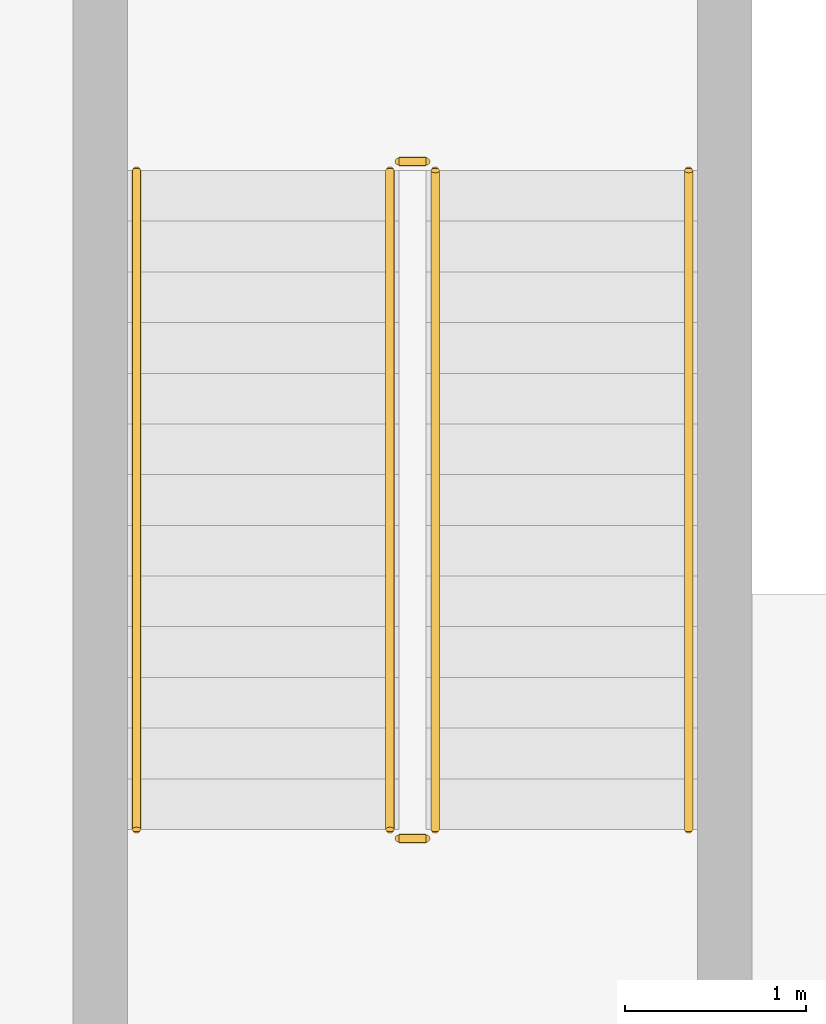
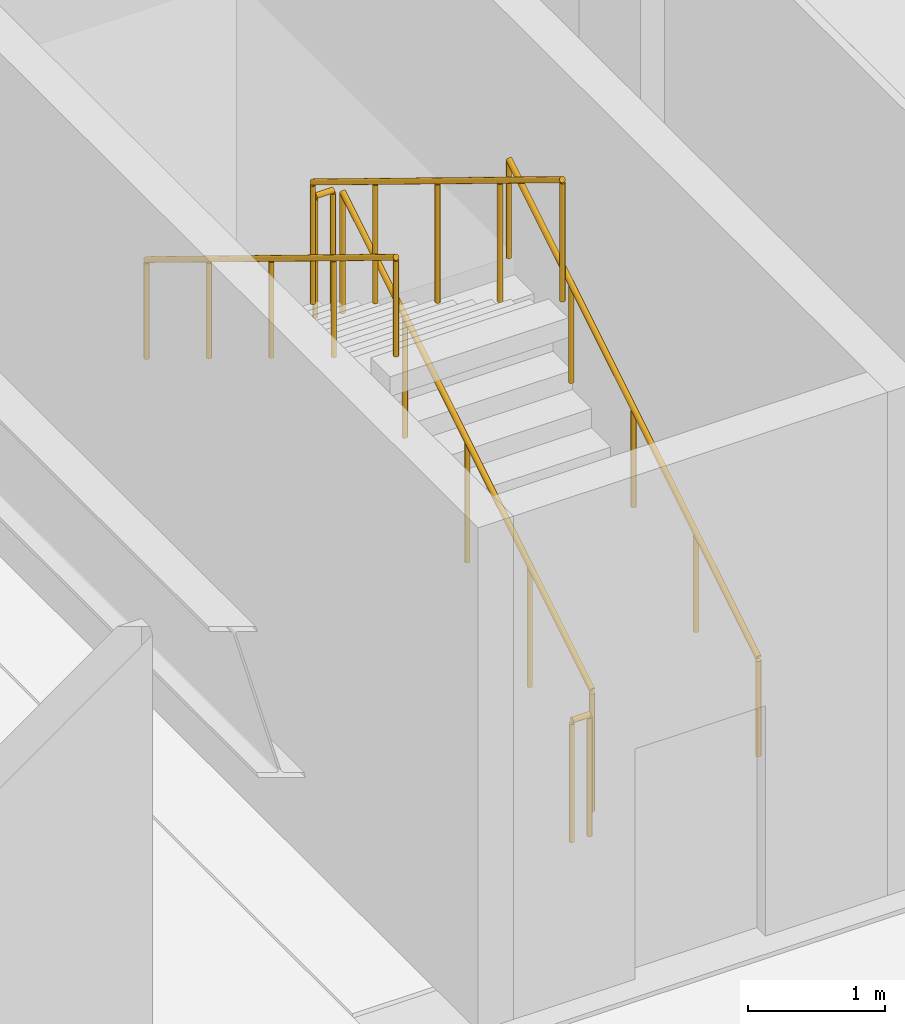
# One storey, part 7 of 8: 6 railings.
"""IFC4 building model written with IfcOpenShell, lengths in metres."""

from ifc_helpers import new_model, si_unit, derived_unit, direction, frame, origin, origin_2d, place, context, subcontext, project, spatial, circle, extrude, material, type_object, element, save


model = new_model("IFC4")

# Units and contexts
model_context = context("Model", 3, precision=1e-05, world=origin(), true_north=direction((0.0, 1.0)))
body_context = subcontext(model_context, "Body", "Model", "MODEL_VIEW")
ifc_project = project(units=[si_unit("LENGTHUNIT", "METRE"), si_unit("AREAUNIT", "SQUARE_METRE"), si_unit("VOLUMEUNIT", "CUBIC_METRE"), si_unit("PLANEANGLEUNIT", "RADIAN"), si_unit("MASSUNIT", "GRAM", prefix="KILO"), derived_unit("THERMALTRANSMITTANCEUNIT", [(si_unit("MASSUNIT", "GRAM", prefix="KILO"), 1), (si_unit("TIMEUNIT", "SECOND"), -3), (si_unit("THERMODYNAMICTEMPERATUREUNIT", "KELVIN"), -1)])], contexts=[model_context])

# Site, building, storey
site_placement = place(None, origin())
site = spatial("IfcSite", under=ifc_project, at=site_placement, CompositionType="ELEMENT")
building_placement = place(site_placement, origin())
building = spatial("IfcBuilding", under=site, at=building_placement, Name="Korrvale Station Residences", CompositionType="ELEMENT")
storey_placement = place(building_placement, frame((0.0, 0.0, -9.60009765625)))
storey = spatial("IfcBuildingStorey", under=building, at=storey_placement, Name="B02", CompositionType="ELEMENT", Elevation=-9.60009765625)

# Railings
ifc_material_1 = material(Name="Brushed stainless-steel continuous stair handrail", Category="steel")
railing_type_1 = type_object("IfcRailingType", Name="RLG-SHND-900", PredefinedType="HANDRAIL", material=ifc_material_1)
railing_1_placement = place(storey_placement, frame((51.60009765625, 35.60009765625, 0.171630859375)))
element("IfcRailing", 1, at=railing_1_placement, inside=storey, type_object=railing_type_1, Name="B02 ST-4 stair handrail 1", PredefinedType="HANDRAIL", context=body_context, shape_type="SweptSolid", body=[
    extrude(circle(Radius=0.02392578125, at=origin_2d()), frame((0.0, 0.0, 0.8759765625), z_axis=(0.0, 0.852850264322, 0.5221555579), x_axis=(-1.0, 0.0, 0.0)), (0.0, 0.0, 1.0), 4.267822265625),
    extrude(circle(Radius=0.02099609375, at=origin_2d()), origin(), (0.0, 0.0, 1.0), 0.851806640625),
    extrude(circle(Radius=0.02099609375, at=origin_2d()), frame((0.0, 0.909912109375, 0.55712890625)), (0.0, 0.0, 1.0), 0.851806640625),
    extrude(circle(Radius=0.02099609375, at=origin_2d()), frame((0.0, 1.81982421875, 1.1142578125)), (0.0, 0.0, 1.0), 0.851806640625),
    extrude(circle(Radius=0.02099609375, at=origin_2d()), frame((0.0, 2.72998046875, 1.67138671875)), (0.0, 0.0, 1.0), 0.851806640625),
    extrude(circle(Radius=0.02099609375, at=origin_2d()), frame((0.0, 3.639892578125, 2.228515625)), (0.0, 0.0, 1.0), 0.851806640625),
])
railing_2_placement = place(storey_placement, frame((48.550048828125, 39.239990234375, 2.571533203125)))
element("IfcRailing", 2, at=railing_2_placement, inside=storey, type_object=railing_type_1, Name="B02 ST-4 stair handrail 2", PredefinedType="HANDRAIL", context=body_context, shape_type="SweptSolid", body=[
    extrude(circle(Radius=0.02392578125, at=origin_2d()), frame((0.0, 0.0, 0.8759765625), z_axis=(0.0, -0.852850264322, 0.5221555579), x_axis=(1.0, 0.0, 0.0)), (0.0, 0.0, 1.0), 4.267822265625),
    extrude(circle(Radius=0.02099609375, at=origin_2d()), origin(), (0.0, 0.0, 1.0), 0.851806640625),
    extrude(circle(Radius=0.02099609375, at=origin_2d()), frame((0.0, -0.909912109375, 0.55712890625)), (0.0, 0.0, 1.0), 0.851806640625),
    extrude(circle(Radius=0.02099609375, at=origin_2d()), frame((0.0, -1.81982421875, 1.1142578125)), (0.0, 0.0, 1.0), 0.851806640625),
    extrude(circle(Radius=0.02099609375, at=origin_2d()), frame((0.0, -2.72998046875, 1.67138671875)), (0.0, 0.0, 1.0), 0.851806640625),
    extrude(circle(Radius=0.02099609375, at=origin_2d()), frame((0.0, -3.639892578125, 2.228515625)), (0.0, 0.0, 1.0), 0.851806640625),
])
ifc_material_2 = material(Name="Galvanised painted tubular steel stair guard", Category="steel")
railing_type_2 = type_object("IfcRailingType", Name="RLG-STR-1100", PredefinedType="GUARDRAIL", material=ifc_material_2)
railing_3_placement = place(storey_placement, frame((50.199951171875, 35.60009765625, 0.171630859375)))
element("IfcRailing", 3, at=railing_3_placement, inside=storey, type_object=railing_type_2, Name="B02 ST-4 stair guard 1", PredefinedType="GUARDRAIL", context=body_context, shape_type="SweptSolid", body=[
    extrude(circle(Radius=0.02392578125, at=origin_2d()), frame((0.0, 0.0, 1.076171875), z_axis=(0.0, 0.852850264322, 0.5221555579), x_axis=(-1.0, 0.0, 0.0)), (0.0, 0.0, 1.0), 4.267822265625),
    extrude(circle(Radius=0.02099609375, at=origin_2d()), origin(), (0.0, 0.0, 1.0), 1.052001953125),
    extrude(circle(Radius=0.02099609375, at=origin_2d()), frame((0.0, 0.909912109375, 0.55712890625)), (0.0, 0.0, 1.0), 1.052001953125),
    extrude(circle(Radius=0.02099609375, at=origin_2d()), frame((0.0, 1.81982421875, 1.1142578125)), (0.0, 0.0, 1.0), 1.052001953125),
    extrude(circle(Radius=0.02099609375, at=origin_2d()), frame((0.0, 2.72998046875, 1.67138671875)), (0.0, 0.0, 1.0), 1.052001953125),
    extrude(circle(Radius=0.02099609375, at=origin_2d()), frame((0.0, 3.639892578125, 2.228515625)), (0.0, 0.0, 1.0), 1.052001953125),
])
railing_4_placement = place(storey_placement, frame((50.14990234375, 39.2900390625, 2.400146484375)))
element("IfcRailing", 4, at=railing_4_placement, inside=storey, type_object=railing_type_2, Name="B02 ST-4 stair guard 2", PredefinedType="GUARDRAIL", context=body_context, shape_type="SweptSolid", body=[
    extrude(circle(Radius=0.02392578125, at=origin_2d()), frame((0.0, 0.0, 1.076171875), z_axis=(-1.0, 0.0, 0.0), x_axis=(0.0, -1.0, 0.0)), (0.0, 0.0, 1.0), 0.14990234375),
    extrude(circle(Radius=0.02099609375, at=origin_2d()), origin(), (0.0, 0.0, 1.0), 1.052001953125),
    extrude(circle(Radius=0.02099609375, at=origin_2d()), frame((-0.14990234375, 0.0, 0.0)), (0.0, 0.0, 1.0), 1.052001953125),
])
railing_5_placement = place(storey_placement, frame((49.949951171875, 39.239990234375, 2.571533203125)))
element("IfcRailing", 5, at=railing_5_placement, inside=storey, type_object=railing_type_2, Name="B02 ST-4 stair guard 3", PredefinedType="GUARDRAIL", context=body_context, shape_type="SweptSolid", body=[
    extrude(circle(Radius=0.02392578125, at=origin_2d()), frame((0.0, 0.0, 1.076171875), z_axis=(0.0, -0.852850264322, 0.5221555579), x_axis=(1.0, 0.0, 0.0)), (0.0, 0.0, 1.0), 4.267822265625),
    extrude(circle(Radius=0.02099609375, at=origin_2d()), origin(), (0.0, 0.0, 1.0), 1.052001953125),
    extrude(circle(Radius=0.02099609375, at=origin_2d()), frame((0.0, -0.909912109375, 0.55712890625)), (0.0, 0.0, 1.0), 1.052001953125),
    extrude(circle(Radius=0.02099609375, at=origin_2d()), frame((0.0, -1.81982421875, 1.1142578125)), (0.0, 0.0, 1.0), 1.052001953125),
    extrude(circle(Radius=0.02099609375, at=origin_2d()), frame((0.0, -2.72998046875, 1.67138671875)), (0.0, 0.0, 1.0), 1.052001953125),
    extrude(circle(Radius=0.02099609375, at=origin_2d()), frame((0.0, -3.639892578125, 2.228515625)), (0.0, 0.0, 1.0), 1.052001953125),
])
railing_6_placement = place(storey_placement, frame((50.14990234375, 35.550048828125, 0.0)))
element("IfcRailing", 6, at=railing_6_placement, inside=storey, type_object=railing_type_2, Name="B02 ST-4 stair guard 4", PredefinedType="GUARDRAIL", context=body_context, shape_type="SweptSolid", body=[
    extrude(circle(Radius=0.02392578125, at=origin_2d()), frame((0.0, 0.0, 1.076171875), z_axis=(-1.0, 0.0, 0.0), x_axis=(0.0, -1.0, 0.0)), (0.0, 0.0, 1.0), 0.14990234375),
    extrude(circle(Radius=0.02099609375, at=origin_2d()), origin(), (0.0, 0.0, 1.0), 1.052001953125),
    extrude(circle(Radius=0.02099609375, at=origin_2d()), frame((-0.14990234375, 0.0, 0.0)), (0.0, 0.0, 1.0), 1.052001953125),
])

save(model, "model.ifc")
